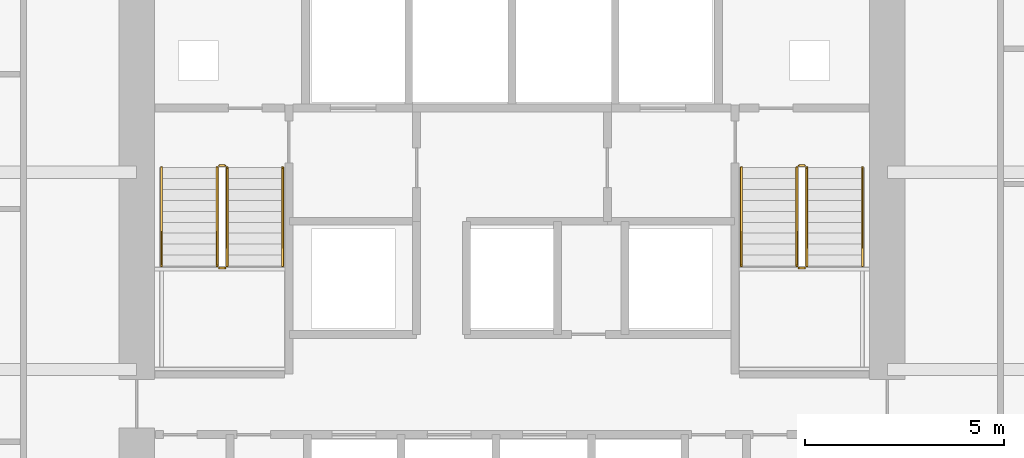
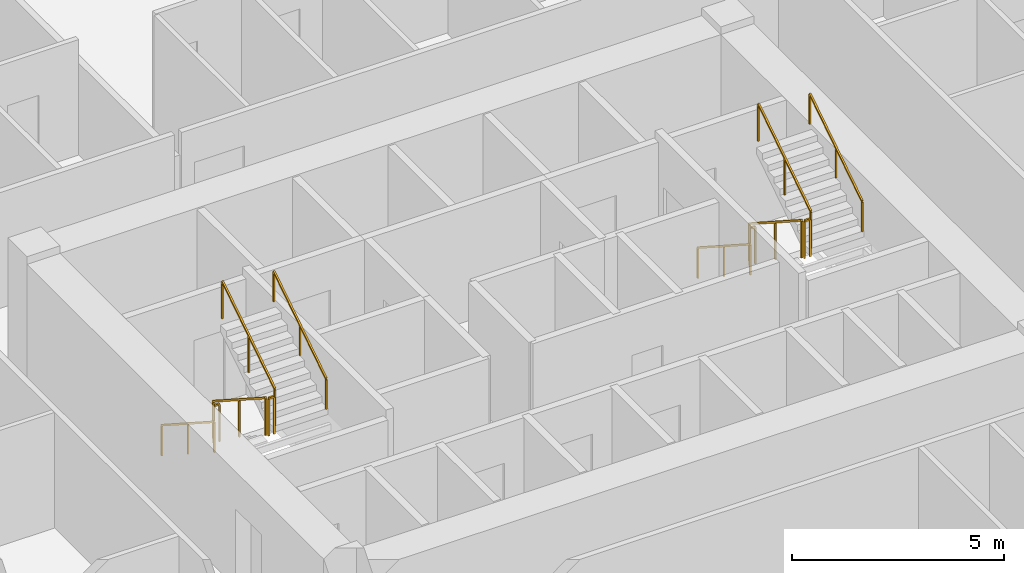
# One storey, part 10 of 11: 12 railings.
"""IFC4 building model written with IfcOpenShell, lengths in metres."""

from ifc_helpers import new_model, si_unit, direction, frame, origin, origin_2d, place, context, subcontext, project, spatial, rectangle, extrude, material, type_object, element, save


model = new_model("IFC4")

# Units and contexts
model_context = context("Model", 3, precision=1e-05, world=origin(), true_north=direction((0.0, 1.0)))
body_context = subcontext(model_context, "Body", "Model", "MODEL_VIEW")
ifc_project = project(units=[si_unit("LENGTHUNIT", "METRE"), si_unit("AREAUNIT", "SQUARE_METRE"), si_unit("VOLUMEUNIT", "CUBIC_METRE"), si_unit("PLANEANGLEUNIT", "RADIAN"), si_unit("MASSUNIT", "GRAM", prefix="KILO")], contexts=[model_context])

# Site, building, storey
site_placement = place(None, origin())
site = spatial("IfcSite", under=ifc_project, at=site_placement, CompositionType="ELEMENT")
building_placement = place(site_placement, origin())
building = spatial("IfcBuilding", under=site, at=building_placement, Name="Cinnabar Lancet Tower", CompositionType="ELEMENT")
storey_placement = place(building_placement, frame((0.0, 0.0, 46.199951171875)))
storey = spatial("IfcBuildingStorey", under=building, at=storey_placement, Name="L11", CompositionType="ELEMENT", Elevation=46.199951171875)

# Railings
ifc_material_1 = material(Name="Painted galvanized steel balustrade", Category="steel")
railing_type_1 = type_object("IfcRailingType", Name="GUARD-STAIR", PredefinedType="GUARDRAIL", material=ifc_material_1)
railing_1_placement = place(storey_placement, frame((24.97509765625, 28.39990234375, 0.177490234375)))
element("IfcRailing", 1, at=railing_1_placement, inside=storey, type_object=railing_type_1, Name="L11 ST-1 stair guard 1", PredefinedType="GUARDRAIL", context=body_context, shape_type="SweptSolid", body=[
    extrude(rectangle(XDim=0.048095703125, YDim=0.048095703125, at=origin_2d()), frame((0.0, 0.0, 1.076171875), z_axis=(0.0, -0.84014559416, 0.542360932049), x_axis=(1.0, 0.0, 0.0)), (0.0, 0.0, 1.0), 2.94580078125),
    extrude(rectangle(XDim=0.0419921875, YDim=0.0419921875, at=origin_2d()), origin(), (0.0, 0.0, 1.0), 1.052001953125),
    extrude(rectangle(XDim=0.0419921875, YDim=0.0419921875, at=origin_2d()), frame((0.0, -1.2373046875, 0.798828125)), (0.0, 0.0, 1.0), 1.052001953125),
    extrude(rectangle(XDim=0.0419921875, YDim=0.0419921875, at=origin_2d()), frame((0.0, -2.474853515625, 1.59765625)), (0.0, 0.0, 1.0), 1.052001953125),
])
railing_2_placement = place(storey_placement, frame((25.02490234375, 25.875, 1.775146484375)))
element("IfcRailing", 2, at=railing_2_placement, inside=storey, type_object=railing_type_1, Name="L11 ST-1 stair guard 2", PredefinedType="GUARDRAIL", context=body_context, shape_type="SweptSolid", body=[
    extrude(rectangle(XDim=0.048095703125, YDim=0.048095703125, at=origin_2d()), frame((0.0, 0.0, 1.076171875), z_axis=(1.0, 0.0, 0.0), x_axis=(0.0, 1.0, 0.0)), (0.0, 0.0, 1.0), 0.150146484375),
    extrude(rectangle(XDim=0.0419921875, YDim=0.0419921875, at=origin_2d()), origin(), (0.0, 0.0, 1.0), 1.052001953125),
    extrude(rectangle(XDim=0.0419921875, YDim=0.0419921875, at=origin_2d()), frame((0.150146484375, 0.0, 0.0)), (0.0, 0.0, 1.0), 1.052001953125),
])
railing_3_placement = place(storey_placement, frame((25.22509765625, 25.925048828125, 1.95263671875)))
element("IfcRailing", 3, at=railing_3_placement, inside=storey, type_object=railing_type_1, Name="L11 ST-1 stair guard 3", PredefinedType="GUARDRAIL", context=body_context, shape_type="SweptSolid", body=[
    extrude(rectangle(XDim=0.048095703125, YDim=0.048095703125, at=origin_2d()), frame((0.0, 0.0, 1.076171875), z_axis=(0.0, 0.840183358697, 0.542302428327), x_axis=(-1.0, 0.0, 0.0)), (0.0, 0.0, 1.0), 2.945556640625),
    extrude(rectangle(XDim=0.0419921875, YDim=0.0419921875, at=origin_2d()), origin(), (0.0, 0.0, 1.0), 1.052001953125),
    extrude(rectangle(XDim=0.0419921875, YDim=0.0419921875, at=origin_2d()), frame((0.0, 1.2373046875, 0.798828125)), (0.0, 0.0, 1.0), 1.052001953125),
    extrude(rectangle(XDim=0.0419921875, YDim=0.0419921875, at=origin_2d()), frame((0.0, 2.474853515625, 1.597412109375)), (0.0, 0.0, 1.0), 1.052001953125),
])
railing_4_placement = place(storey_placement, frame((25.02490234375, 28.449951171875, 0.0)))
element("IfcRailing", 4, at=railing_4_placement, inside=storey, type_object=railing_type_1, Name="L11 ST-1 stair guard 4", PredefinedType="GUARDRAIL", context=body_context, shape_type="SweptSolid", body=[
    extrude(rectangle(XDim=0.048095703125, YDim=0.048095703125, at=origin_2d()), frame((0.0, 0.0, 1.076171875), z_axis=(1.0, 0.0, 0.0), x_axis=(0.0, 1.0, 0.0)), (0.0, 0.0, 1.0), 0.150146484375),
    extrude(rectangle(XDim=0.0419921875, YDim=0.0419921875, at=origin_2d()), origin(), (0.0, 0.0, 1.0), 1.052001953125),
    extrude(rectangle(XDim=0.0419921875, YDim=0.0419921875, at=origin_2d()), frame((0.150146484375, 0.0, 0.0)), (0.0, 0.0, 1.0), 1.052001953125),
])
railing_5_placement = place(storey_placement, frame((39.574951171875, 28.39990234375, 0.177490234375)))
element("IfcRailing", 5, at=railing_5_placement, inside=storey, type_object=railing_type_1, Name="L11 ST-2 stair guard 1", PredefinedType="GUARDRAIL", context=body_context, shape_type="SweptSolid", body=[
    extrude(rectangle(XDim=0.048095703125, YDim=0.048095703125, at=origin_2d()), frame((0.0, 0.0, 1.076171875), z_axis=(0.0, -0.84014559416, 0.542360932049), x_axis=(1.0, 0.0, 0.0)), (0.0, 0.0, 1.0), 2.94580078125),
    extrude(rectangle(XDim=0.0419921875, YDim=0.0419921875, at=origin_2d()), origin(), (0.0, 0.0, 1.0), 1.052001953125),
    extrude(rectangle(XDim=0.0419921875, YDim=0.0419921875, at=origin_2d()), frame((0.0, -1.2373046875, 0.798828125)), (0.0, 0.0, 1.0), 1.052001953125),
    extrude(rectangle(XDim=0.0419921875, YDim=0.0419921875, at=origin_2d()), frame((0.0, -2.474853515625, 1.59765625)), (0.0, 0.0, 1.0), 1.052001953125),
])
railing_6_placement = place(storey_placement, frame((39.625, 25.875, 1.775146484375)))
element("IfcRailing", 6, at=railing_6_placement, inside=storey, type_object=railing_type_1, Name="L11 ST-2 stair guard 2", PredefinedType="GUARDRAIL", context=body_context, shape_type="SweptSolid", body=[
    extrude(rectangle(XDim=0.048095703125, YDim=0.048095703125, at=origin_2d()), frame((0.0, 0.0, 1.076171875), z_axis=(1.0, 0.0, 0.0), x_axis=(0.0, 1.0, 0.0)), (0.0, 0.0, 1.0), 0.14990234375),
    extrude(rectangle(XDim=0.0419921875, YDim=0.0419921875, at=origin_2d()), origin(), (0.0, 0.0, 1.0), 1.052001953125),
    extrude(rectangle(XDim=0.0419921875, YDim=0.0419921875, at=origin_2d()), frame((0.14990234375, 0.0, 0.0)), (0.0, 0.0, 1.0), 1.052001953125),
])
railing_7_placement = place(storey_placement, frame((39.824951171875, 25.925048828125, 1.95263671875)))
element("IfcRailing", 7, at=railing_7_placement, inside=storey, type_object=railing_type_1, Name="L11 ST-2 stair guard 3", PredefinedType="GUARDRAIL", context=body_context, shape_type="SweptSolid", body=[
    extrude(rectangle(XDim=0.048095703125, YDim=0.048095703125, at=origin_2d()), frame((0.0, 0.0, 1.076171875), z_axis=(0.0, 0.840183358697, 0.542302428327), x_axis=(-1.0, 0.0, 0.0)), (0.0, 0.0, 1.0), 2.945556640625),
    extrude(rectangle(XDim=0.0419921875, YDim=0.0419921875, at=origin_2d()), origin(), (0.0, 0.0, 1.0), 1.052001953125),
    extrude(rectangle(XDim=0.0419921875, YDim=0.0419921875, at=origin_2d()), frame((0.0, 1.2373046875, 0.798828125)), (0.0, 0.0, 1.0), 1.052001953125),
    extrude(rectangle(XDim=0.0419921875, YDim=0.0419921875, at=origin_2d()), frame((0.0, 2.474853515625, 1.597412109375)), (0.0, 0.0, 1.0), 1.052001953125),
])
railing_8_placement = place(storey_placement, frame((39.625, 28.449951171875, 0.0)))
element("IfcRailing", 8, at=railing_8_placement, inside=storey, type_object=railing_type_1, Name="L11 ST-2 stair guard 4", PredefinedType="GUARDRAIL", context=body_context, shape_type="SweptSolid", body=[
    extrude(rectangle(XDim=0.048095703125, YDim=0.048095703125, at=origin_2d()), frame((0.0, 0.0, 1.076171875), z_axis=(1.0, 0.0, 0.0), x_axis=(0.0, 1.0, 0.0)), (0.0, 0.0, 1.0), 0.14990234375),
    extrude(rectangle(XDim=0.0419921875, YDim=0.0419921875, at=origin_2d()), origin(), (0.0, 0.0, 1.0), 1.052001953125),
    extrude(rectangle(XDim=0.0419921875, YDim=0.0419921875, at=origin_2d()), frame((0.14990234375, 0.0, 0.0)), (0.0, 0.0, 1.0), 1.052001953125),
])
ifc_material_2 = material(Name="Brushed stainless steel handrail", Category="steel")
railing_type_2 = type_object("IfcRailingType", Name="HANDRAIL-STAIR", PredefinedType="HANDRAIL", material=ifc_material_2)
railing_9_placement = place(storey_placement, frame((23.574951171875, 28.39990234375, 0.177490234375)))
element("IfcRailing", 9, at=railing_9_placement, inside=storey, type_object=railing_type_2, Name="L11 ST-1 stair handrail 1", PredefinedType="HANDRAIL", context=body_context, shape_type="SweptSolid", body=[
    extrude(rectangle(XDim=0.048095703125, YDim=0.048095703125, at=origin_2d()), frame((0.0, 0.0, 0.8759765625), z_axis=(0.0, -0.84014559416, 0.542360932049), x_axis=(1.0, 0.0, 0.0)), (0.0, 0.0, 1.0), 2.94580078125),
    extrude(rectangle(XDim=0.0419921875, YDim=0.0419921875, at=origin_2d()), origin(), (0.0, 0.0, 1.0), 0.851806640625),
    extrude(rectangle(XDim=0.0419921875, YDim=0.0419921875, at=origin_2d()), frame((0.0, -1.2373046875, 0.798828125)), (0.0, 0.0, 1.0), 0.851806640625),
    extrude(rectangle(XDim=0.0419921875, YDim=0.0419921875, at=origin_2d()), frame((0.0, -2.474853515625, 1.59765625)), (0.0, 0.0, 1.0), 0.851806640625),
])
railing_10_placement = place(storey_placement, frame((26.625, 25.925048828125, 1.95263671875)))
element("IfcRailing", 10, at=railing_10_placement, inside=storey, type_object=railing_type_2, Name="L11 ST-1 stair handrail 2", PredefinedType="HANDRAIL", context=body_context, shape_type="SweptSolid", body=[
    extrude(rectangle(XDim=0.048095703125, YDim=0.048095703125, at=origin_2d()), frame((0.0, 0.0, 0.8759765625), z_axis=(0.0, 0.840183358697, 0.542302428327), x_axis=(-1.0, 0.0, 0.0)), (0.0, 0.0, 1.0), 2.945556640625),
    extrude(rectangle(XDim=0.0419921875, YDim=0.0419921875, at=origin_2d()), origin(), (0.0, 0.0, 1.0), 0.851806640625),
    extrude(rectangle(XDim=0.0419921875, YDim=0.0419921875, at=origin_2d()), frame((0.0, 1.2373046875, 0.798828125)), (0.0, 0.0, 1.0), 0.851806640625),
    extrude(rectangle(XDim=0.0419921875, YDim=0.0419921875, at=origin_2d()), frame((0.0, 2.474853515625, 1.597412109375)), (0.0, 0.0, 1.0), 0.851806640625),
])
railing_11_placement = place(storey_placement, frame((38.175048828125, 28.39990234375, 0.177490234375)))
element("IfcRailing", 11, at=railing_11_placement, inside=storey, type_object=railing_type_2, Name="L11 ST-2 stair handrail 1", PredefinedType="HANDRAIL", context=body_context, shape_type="SweptSolid", body=[
    extrude(rectangle(XDim=0.048095703125, YDim=0.048095703125, at=origin_2d()), frame((0.0, 0.0, 0.8759765625), z_axis=(0.0, -0.84014559416, 0.542360932049), x_axis=(1.0, 0.0, 0.0)), (0.0, 0.0, 1.0), 2.94580078125),
    extrude(rectangle(XDim=0.0419921875, YDim=0.0419921875, at=origin_2d()), origin(), (0.0, 0.0, 1.0), 0.851806640625),
    extrude(rectangle(XDim=0.0419921875, YDim=0.0419921875, at=origin_2d()), frame((0.0, -1.2373046875, 0.798828125)), (0.0, 0.0, 1.0), 0.851806640625),
    extrude(rectangle(XDim=0.0419921875, YDim=0.0419921875, at=origin_2d()), frame((0.0, -2.474853515625, 1.59765625)), (0.0, 0.0, 1.0), 0.851806640625),
])
railing_12_placement = place(storey_placement, frame((41.22509765625, 25.925048828125, 1.95263671875)))
element("IfcRailing", 12, at=railing_12_placement, inside=storey, type_object=railing_type_2, Name="L11 ST-2 stair handrail 2", PredefinedType="HANDRAIL", context=body_context, shape_type="SweptSolid", body=[
    extrude(rectangle(XDim=0.048095703125, YDim=0.048095703125, at=origin_2d()), frame((0.0, 0.0, 0.8759765625), z_axis=(0.0, 0.840183358697, 0.542302428327), x_axis=(-1.0, 0.0, 0.0)), (0.0, 0.0, 1.0), 2.945556640625),
    extrude(rectangle(XDim=0.0419921875, YDim=0.0419921875, at=origin_2d()), origin(), (0.0, 0.0, 1.0), 0.851806640625),
    extrude(rectangle(XDim=0.0419921875, YDim=0.0419921875, at=origin_2d()), frame((0.0, 1.2373046875, 0.798828125)), (0.0, 0.0, 1.0), 0.851806640625),
    extrude(rectangle(XDim=0.0419921875, YDim=0.0419921875, at=origin_2d()), frame((0.0, 2.474853515625, 1.597412109375)), (0.0, 0.0, 1.0), 0.851806640625),
])

save(model, "model.ifc")
